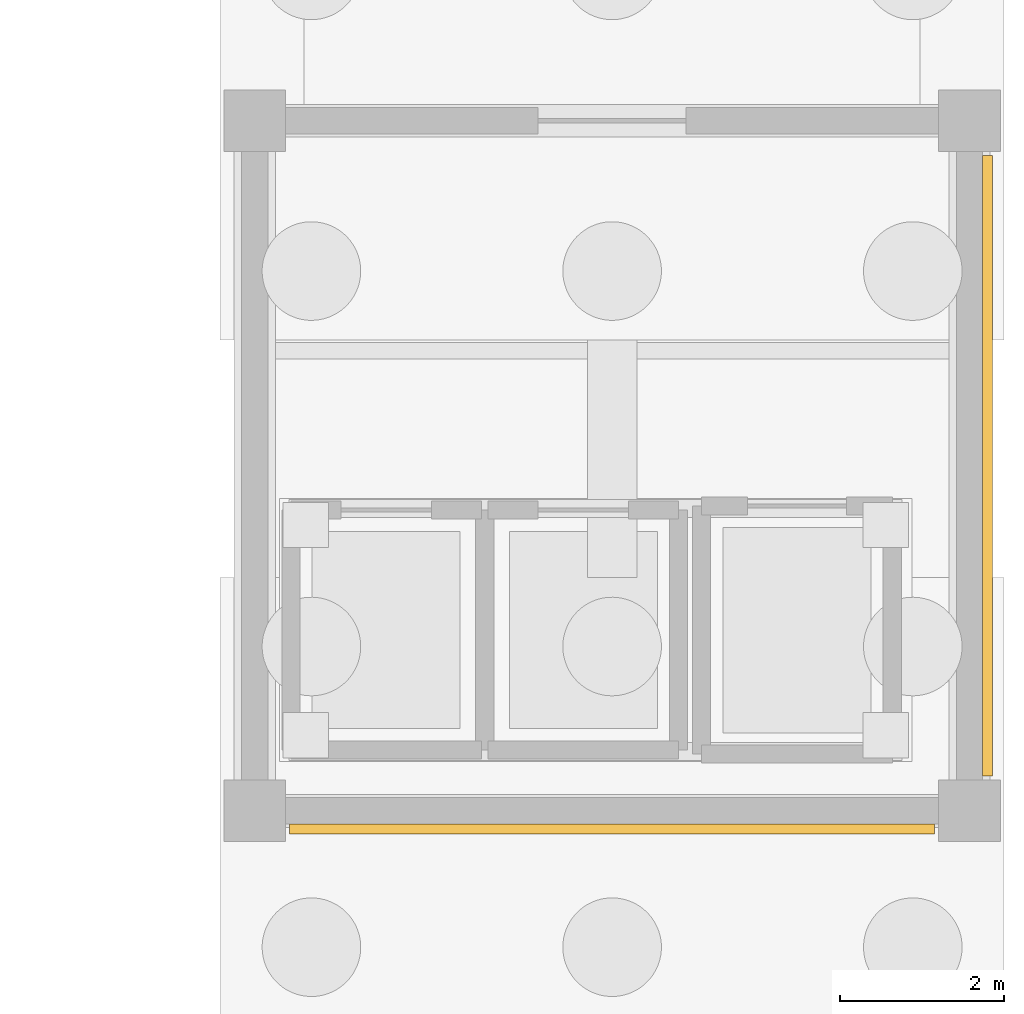
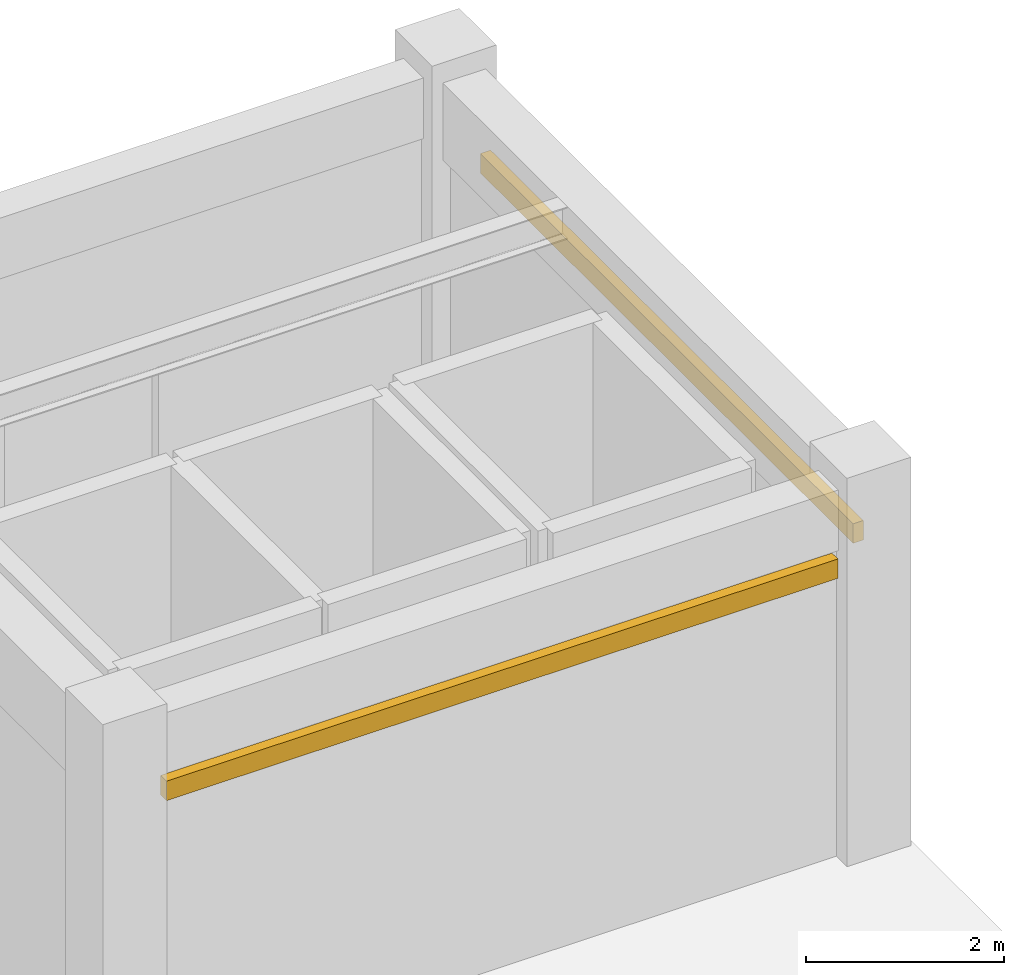
# One storey, part 28 of 29: 2 coverings.
"""IFC4 building model written with IfcOpenShell, lengths in metres."""

from ifc_helpers import new_model, si_unit, direction, frame, origin, origin_2d, place, context, subcontext, project, spatial, rectangle, extrude, material, layer, layer_set, type_object, element, save


model = new_model("IFC4")

# Units and contexts
model_context = context("Model", 3, precision=1e-05, world=origin(), true_north=direction((0.0, 1.0)))
body_context = subcontext(model_context, "Body", "Model", "MODEL_VIEW")
ifc_project = project(units=[si_unit("LENGTHUNIT", "METRE"), si_unit("AREAUNIT", "SQUARE_METRE"), si_unit("VOLUMEUNIT", "CUBIC_METRE"), si_unit("PLANEANGLEUNIT", "RADIAN"), si_unit("MASSUNIT", "GRAM", prefix="KILO")], contexts=[model_context])

# Site, building, storey
site_placement = place(None, origin())
site = spatial("IfcSite", under=ifc_project, at=site_placement, CompositionType="ELEMENT")
building_placement = place(site_placement, origin())
building = spatial("IfcBuilding", under=site, at=building_placement, Name="Canglan Escarpment Cableway Terminal", CompositionType="ELEMENT")
storey_placement = place(building_placement, origin())
storey = spatial("IfcBuildingStorey", under=building, at=storey_placement, Name="L00", CompositionType="ELEMENT", Elevation=0.0)

# Coverings
ifc_material = material(Name="Carved classical limestone cornice", Category="masonry")
ifc_layer = layer(ifc_material, 0.1201171875, Name="Carved classical limestone cornice")
ifc_layer_set = layer_set([ifc_layer], Name="Carved classical limestone cornice")
covering_type = type_object("IfcCoveringType", Name="COV-CORNICE-STONE", PredefinedType="CLADDING", material=ifc_layer_set)
covering_1_placement = place(storey_placement, frame((141.949951171875, 7.780029296875, 3.52490234375), z_axis=(0.0, 0.0, 1.0), x_axis=(1.0, 0.0, 0.0)))
element("IfcCovering", 1, at=covering_1_placement, inside=storey, type_object=covering_type, Name="Classical carved limestone cornice CL-01", PredefinedType="CLADDING", context=body_context, shape_type="SweptSolid", body=[
    extrude(rectangle(XDim=7.85009765625, YDim=0.1201171875, at=origin_2d()), origin(), (0.0, 0.0, 1.0), 0.239990234375),
])
covering_2_placement = place(storey_placement, frame((146.52001953125, 12.199951171875, 3.3251953125), z_axis=(0.0, 0.0, 1.0), x_axis=(0.0, 1.0, 0.0)))
element("IfcCovering", 2, at=covering_2_placement, inside=storey, type_object=covering_type, Name="Classical carved limestone cornice CL-01", PredefinedType="CLADDING", context=body_context, shape_type="SweptSolid", body=[
    extrude(rectangle(XDim=7.550048828125, YDim=0.1201171875, at=origin_2d()), origin(), (0.0, 0.0, 1.0), 0.239990234375),
])

save(model, "model.ifc")
